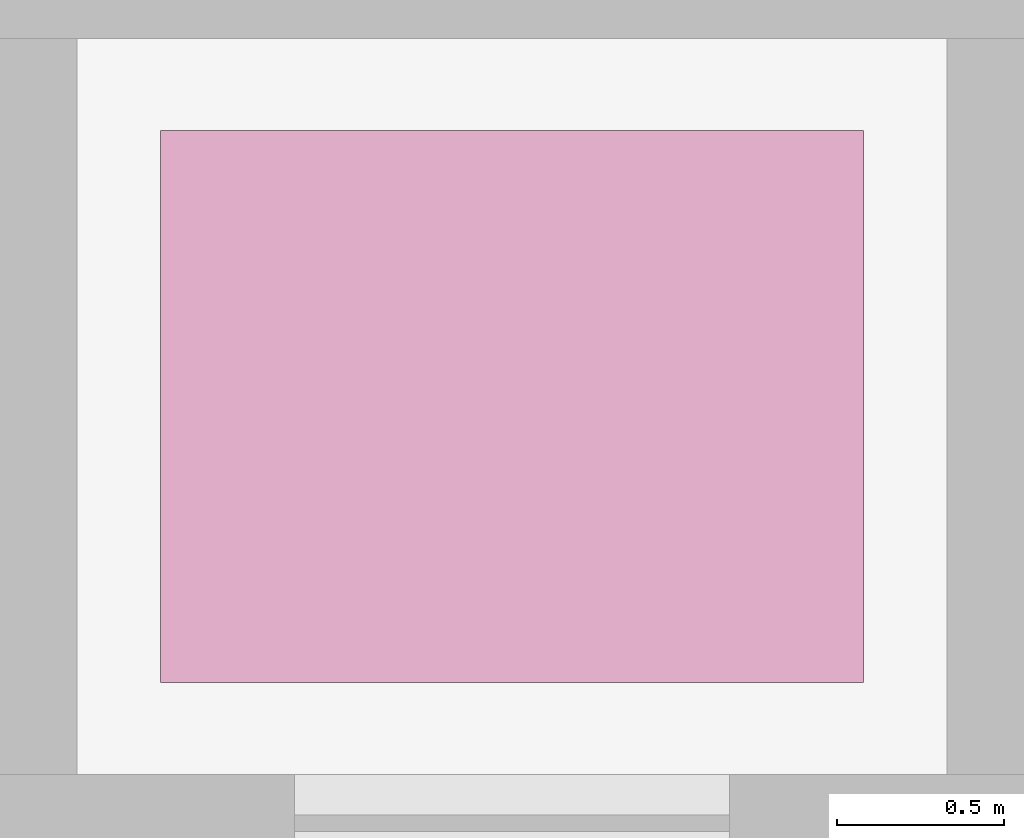
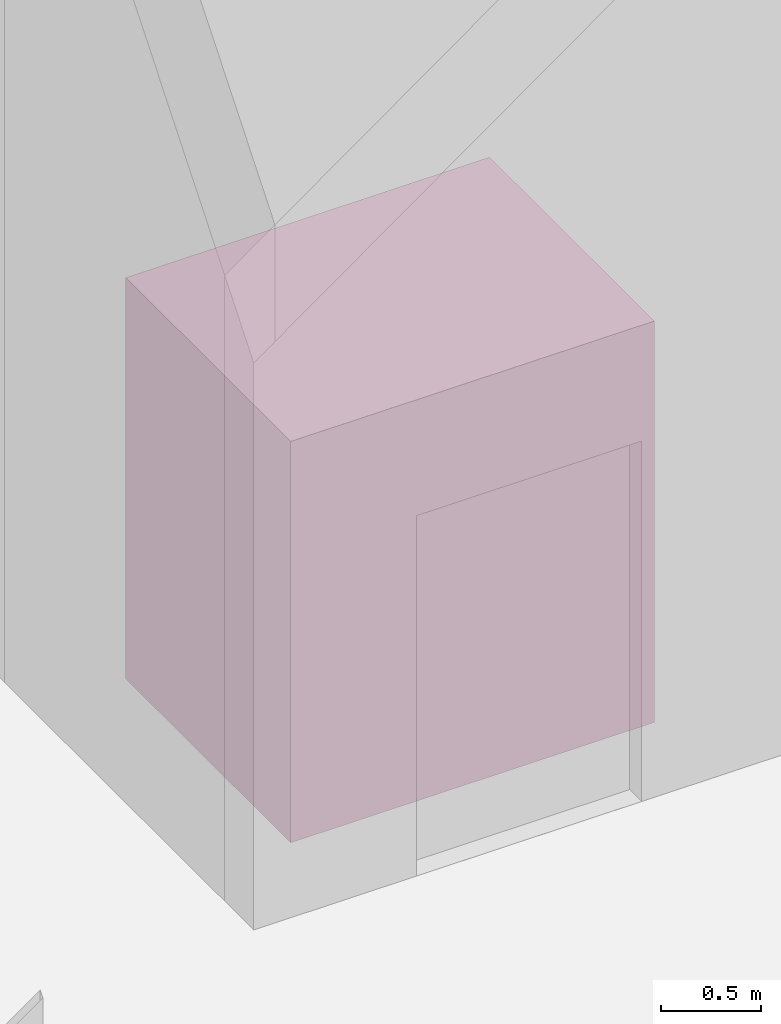
# One storey, part 104 of 104: 1 transport element.
"""IFC4 building model written with IfcOpenShell, lengths in metres."""

import ifcopenshell
import ifcopenshell.guid

model = None  # the IFC model being written
_history = None  # IfcOwnerHistory: only IFC2X3 demands one
_inside = {}  # id of a spatial element -> (the spatial element, [elements in it])
_under = {}  # id of a project, library or spatial element -> (it, [spatial elements below it])
_declared = {}  # id of a project -> (the project, [libraries it declares])
_typed = {}  # id of a type object -> (the type object, [elements of that type])
_made_of = {}  # id of a material, layer set ... -> (it, [elements and type objects made of it])


def new_model(schema):
    """Start an empty IFC model of exactly this schema.

    Asked for "IFC4X3", IfcOpenShell would pick the latest addendum, in which some entities
    have other attributes; the version numbers below select the first issue.
    IFC2X3 requires an IfcOwnerHistory on every rooted entity: one is made here for all.
    """
    global model, _history
    if schema == "IFC4X3":
        model = ifcopenshell.file(schema_version=(4, 3, 0, 0))
    else:
        model = ifcopenshell.file(schema=schema)
    _inside.clear()
    _under.clear()
    _declared.clear()
    _typed.clear()
    _made_of.clear()
    _history = None
    if model.schema == "IFC2X3":
        org = make("IfcOrganization", Name="unknown")
        user = make(
            "IfcPersonAndOrganization",
            ThePerson=make("IfcPerson", FamilyName="unknown"),
            TheOrganization=org,
        )
        app = make(
            "IfcApplication",
            ApplicationDeveloper=org,
            Version="unknown",
            ApplicationFullName="unknown",
            ApplicationIdentifier="unknown",
        )
        _history = make(
            "IfcOwnerHistory",
            OwningUser=user,
            OwningApplication=app,
            ChangeAction="ADDED",
            CreationDate=0,
        )
    return model


def make(cls, **values):
    """One entity of the class cls with the attributes given. An attribute that is None is left unset."""
    return model.create_entity(
        cls, **{name: value for name, value in values.items() if value is not None}
    )


def rooted(cls, **values):
    """An entity with a GlobalId (a new one), such as an element, a storey or a relation."""
    return make(cls, GlobalId=ifcopenshell.guid.new(), OwnerHistory=_history, **values)


def si_unit(unit_type, name, prefix=None):
    """IfcSIUnit, for example si_unit("LENGTHUNIT", "METRE", prefix="MILLI")."""
    return make("IfcSIUnit", UnitType=unit_type, Prefix=prefix, Name=name)


def assignment(units):
    """IfcUnitAssignment: the units of a project."""
    return None if units is None else make("IfcUnitAssignment", Units=units)


def point(xyz):
    """IfcCartesianPoint."""
    return None if xyz is None else make("IfcCartesianPoint", Coordinates=xyz)


def direction(xyz):
    """IfcDirection."""
    return None if xyz is None else make("IfcDirection", DirectionRatios=xyz)


def frame(location, z_axis=None, x_axis=None):
    """IfcAxis2Placement3D, a coordinate frame: its origin and axes. An axis left out is left unset."""
    return make(
        "IfcAxis2Placement3D",
        Location=point(location),
        Axis=direction(z_axis),
        RefDirection=direction(x_axis),
    )


def frame_2d(location, x_axis=None):
    """IfcAxis2Placement2D, a coordinate frame in the plane: its origin and x axis."""
    return make(
        "IfcAxis2Placement2D", Location=point(location), RefDirection=direction(x_axis)
    )


def origin():
    """The frame at (0, 0, 0) with its axes left unset."""
    return frame((0.0, 0.0, 0.0))


def origin_2d():
    """The frame at (0, 0) in the plane with its x axis left unset."""
    return frame_2d((0.0, 0.0))


def place(relative_to, where):
    """IfcLocalPlacement: puts the frame where relative to a parent placement (None: the world)."""
    return make(
        "IfcLocalPlacement", PlacementRelTo=relative_to, RelativePlacement=where
    )


def context(
    kind, dimensions, precision=None, world=None, true_north=None, identifier=None
):
    """IfcGeometricRepresentationContext, for example the 3D "Model" context."""
    return make(
        "IfcGeometricRepresentationContext",
        ContextIdentifier=identifier,
        ContextType=kind,
        CoordinateSpaceDimension=dimensions,
        Precision=precision,
        WorldCoordinateSystem=world,
        TrueNorth=true_north,
    )


def subcontext(parent, identifier, kind, view, scale=None):
    """IfcGeometricRepresentationSubContext, for example "Body" below "Model"."""
    return make(
        "IfcGeometricRepresentationSubContext",
        ContextIdentifier=identifier,
        ContextType=kind,
        ParentContext=parent,
        TargetScale=scale,
        TargetView=view,
    )


def project(units=None, contexts=None):
    """IfcProject with its units and contexts."""
    return rooted(
        "IfcProject",
        Name="project",
        RepresentationContexts=contexts,
        UnitsInContext=assignment(units),
    )


def spatial(cls, under=None, at=None, **own):
    """A site, building, storey or space (cls), placed at a placement, below another one or the project."""
    s = rooted(cls, ObjectPlacement=at, **own)
    if under is not None:
        _under.setdefault(under.id(), (under, []))[1].append(s)
    return s


def profile(cls, at=None, kind="AREA", **sizes):
    """A parametric profile (cls). Its sizes go by their IFC names, for example OverallWidth=200.0."""
    return make(cls, ProfileType=kind, Position=at, **sizes)


def rectangle(**sizes):
    """IfcRectangleProfileDef."""
    return profile("IfcRectangleProfileDef", **sizes)


def extrude(swept, where, along, depth):
    """IfcExtrudedAreaSolid: the profile swept, set in the frame where, extruded along a direction by depth."""
    return make(
        "IfcExtrudedAreaSolid",
        SweptArea=swept,
        Position=where,
        ExtrudedDirection=direction(along),
        Depth=depth,
    )


def shape(context_of_items, identifier, shape_type, items):
    """IfcShapeRepresentation: the items that make up one representation, for example the "Body"."""
    return make(
        "IfcShapeRepresentation",
        ContextOfItems=context_of_items,
        RepresentationIdentifier=identifier,
        RepresentationType=shape_type,
        Items=items,
    )


def material(Name=None, Category=None):
    """IfcMaterial."""
    return make("IfcMaterial", Name=Name, Category=Category)


def made_of(thing, what):
    """Note that an element or type object is made of a material, layer set ...; save() writes the relation."""
    if what is not None:
        _made_of.setdefault(what.id(), (what, []))[1].append(thing)
    return thing


def type_object(cls, material=None, **own):
    """A type object (cls), such as IfcWallType, which elements share."""
    return made_of(rooted(cls, **own), material)


def element(
    cls,
    number,
    at=None,
    inside=None,
    cuts=None,
    type_object=None,
    material=None,
    context=None,
    identifier="Body",
    shape_type=None,
    held_by="IfcProductDefinitionShape",
    body=None,
    shapes=None,
    **own,
):
    """One element of the class cls, such as IfcWall. Its Tag is "e" and its number.

    at: its placement. inside: the storey or other place that contains it. cuts: it is an
    opening in that element (IfcRelVoidsElement). A single representation is given by context,
    identifier, shape_type and body (its items); several are given by shapes. held_by: the class
    of the entity that holds the representations. save() writes the other relations.
    """
    e = rooted(cls, Tag="e%d" % number, ObjectPlacement=at, **own)
    if body is not None:
        shapes = [shape(context, identifier, shape_type, body)]
    if shapes is not None:
        e.Representation = make(held_by, Representations=shapes)
    if inside is not None:
        _inside.setdefault(inside.id(), (inside, []))[1].append(e)
    if cuts is not None:
        rooted(
            "IfcRelVoidsElement", RelatingBuildingElement=cuts, RelatedOpeningElement=e
        )
    if type_object is not None:
        _typed.setdefault(type_object.id(), (type_object, []))[1].append(e)
    return made_of(e, material)


def aggregate(whole, parts):
    """IfcRelAggregates: a whole, such as a stair, and the parts it consists of."""
    return rooted("IfcRelAggregates", RelatingObject=whole, RelatedObjects=parts)


def save(model, path):
    """Write the relations noted so far, then the file.

    IfcRelAggregates (storeys below a building ...), IfcRelContainedInSpatialStructure (elements
    in a storey), IfcRelDefinesByType, IfcRelAssociatesMaterial and IfcRelDeclares: one each for
    every whole, place, type object, material and project.
    """
    for whole, parts in _under.values():
        aggregate(whole, parts)
    for where, things in _inside.values():
        rooted(
            "IfcRelContainedInSpatialStructure",
            RelatedElements=things,
            RelatingStructure=where,
        )
    for kind, things in _typed.values():
        rooted("IfcRelDefinesByType", RelatedObjects=things, RelatingType=kind)
    for what, things in _made_of.values():
        rooted("IfcRelAssociatesMaterial", RelatedObjects=things, RelatingMaterial=what)
    for by, libraries in _declared.values():
        rooted("IfcRelDeclares", RelatingContext=by, RelatedDefinitions=libraries)
    model.write(path)


model = new_model("IFC4")

# Units and contexts
model_context = context("Model", 3, precision=1e-05, world=origin(), true_north=direction((0.0, 1.0)))
body_context = subcontext(model_context, "Body", "Model", "MODEL_VIEW")
ifc_project = project(units=[si_unit("LENGTHUNIT", "METRE"), si_unit("AREAUNIT", "SQUARE_METRE"), si_unit("VOLUMEUNIT", "CUBIC_METRE"), si_unit("PLANEANGLEUNIT", "RADIAN"), si_unit("MASSUNIT", "GRAM", prefix="KILO")], contexts=[model_context])

# Site, building, storey
site_placement = place(None, origin())
site = spatial("IfcSite", under=ifc_project, at=site_placement, CompositionType="ELEMENT")
building_placement = place(site_placement, origin())
building = spatial("IfcBuilding", under=site, at=building_placement, Name="Vaelcorin Mobility Hub", CompositionType="ELEMENT")
storey_placement = place(building_placement, origin())
storey = spatial("IfcBuildingStorey", under=building, at=storey_placement, Name="L00", CompositionType="ELEMENT", Elevation=0.0)

# Transport element
ifc_material = material(Name="Brushed stainless steel 316L", Category="steel")
transport_element_type = type_object("IfcTransportElementType", Name="LIFT-PASS-2100", PredefinedType="ELEVATOR", material=ifc_material)
transport_element_placement = place(storey_placement, frame((75.60009765625, 53.0, 0.0), z_axis=(0.0, 0.0, 1.0), x_axis=(1.0, 0.0, 0.0)))
element("IfcTransportElement", 1, at=transport_element_placement, inside=storey, type_object=transport_element_type, Name="Passenger Stretcher Lift LF3", PredefinedType="ELEVATOR", context=body_context, shape_type="SweptSolid", body=[
    extrude(rectangle(XDim=2.10009765625, YDim=1.64990234375, at=origin_2d()), origin(), (0.0, 0.0, 1.0), 2.449951171875),
])

save(model, "model.ifc")
